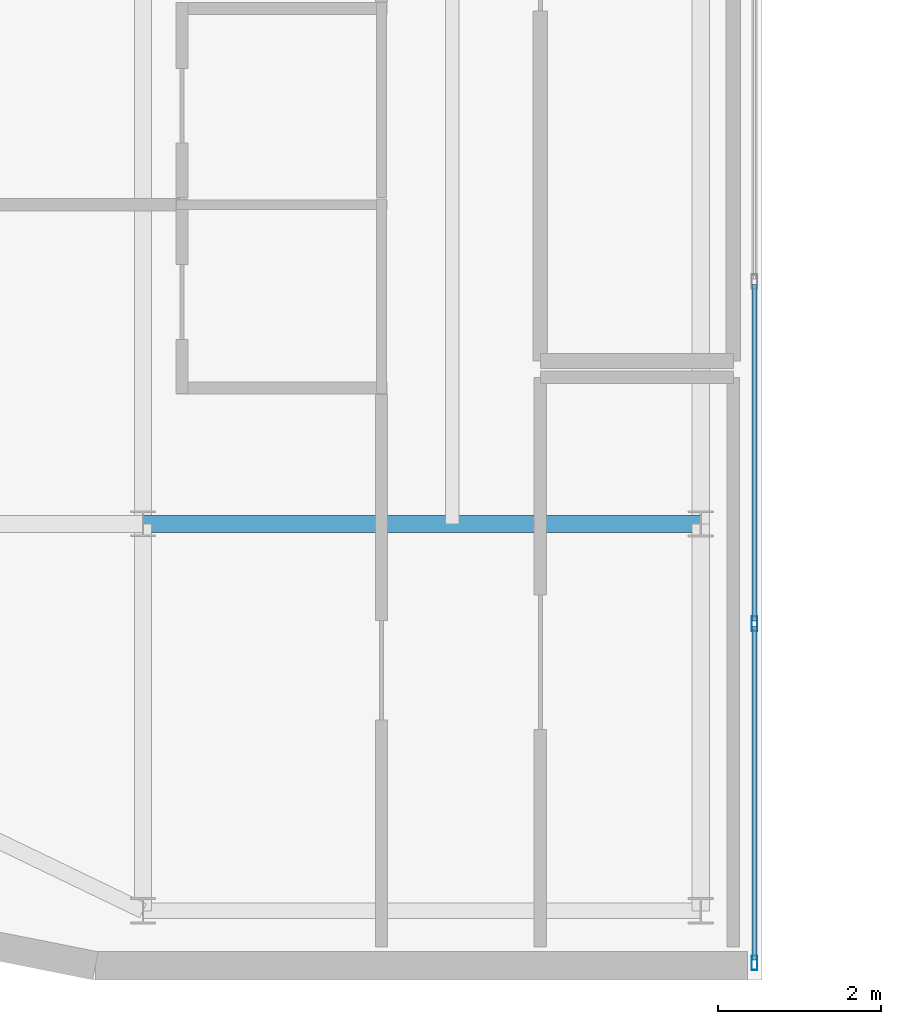
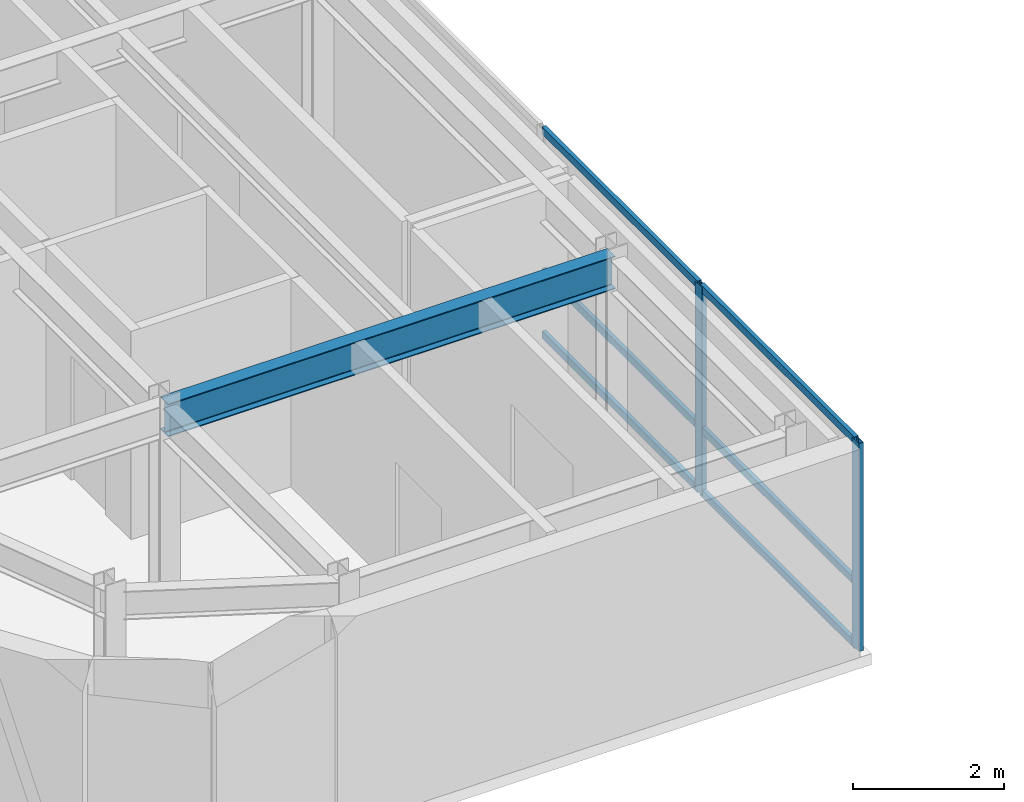
# One storey, part 4 of 18: 8 members, 1 beam, 1 element without a shape of its own.
"""IFC4 building model written with IfcOpenShell, lengths in metres."""

from ifc_helpers import new_model, si_unit, direction, frame, origin, origin_2d, place, context, subcontext, project, spatial, hollow_rectangle, i_section, extrude, source, transform, mapped, material, layer, layer_set, material_profile, profile_set, type_object, type_shapes, element, aggregate, save


model = new_model("IFC4")

# Units and contexts
model_context = context("Model", 3, precision=1e-05, world=origin(), true_north=direction((0.0, 1.0)))
body_context = subcontext(model_context, "Body", "Model", "MODEL_VIEW")
ifc_project = project(units=[si_unit("LENGTHUNIT", "METRE"), si_unit("AREAUNIT", "SQUARE_METRE"), si_unit("VOLUMEUNIT", "CUBIC_METRE"), si_unit("PLANEANGLEUNIT", "RADIAN"), si_unit("MASSUNIT", "GRAM", prefix="KILO")], contexts=[model_context])

# Site, building, storey
site_placement = place(None, origin())
site = spatial("IfcSite", under=ifc_project, at=site_placement, CompositionType="ELEMENT")
building_placement = place(site_placement, origin())
building = spatial("IfcBuilding", under=site, at=building_placement, Name="Tolvann Quenvar Hotel", CompositionType="ELEMENT")
storey_placement = place(building_placement, frame((0.0, 0.0, 252.300048828125)))
storey = spatial("IfcBuildingStorey", under=building, at=storey_placement, Name="L67", CompositionType="ELEMENT", Elevation=252.300048828125)

# Beam
ifc_material_1 = material(Name="Steel Grade 350", Category="steel")
ifc_material_profile_1 = material_profile(ifc_material_1, i_section(OverallWidth=0.208984375, OverallDepth=0.532958984375, WebThickness=0.01025390625, FlangeThickness=0.015625, FilletRadius=0.013916015625, at=origin_2d()), Name="530UB92")
ifc_profile_set_1 = profile_set([ifc_material_profile_1], Name="Steel Grade 350")
beam_type = type_object("IfcBeamType", Name="BM_GIRD_530UB92", PredefinedType="BEAM", material=ifc_profile_set_1)
shared_shape_1 = source(origin(), body_context, "Body", "SweptSolid", [
    extrude(i_section(OverallWidth=0.208984375, OverallDepth=0.532958984375, WebThickness=0.01025390625, FlangeThickness=0.015625, FilletRadius=0.013916015625, at=origin_2d()), origin(), (0.0, 0.0, 1.0), 6.849853515625),
])
type_shapes(beam_type, [shared_shape_1])
beam_placement = place(storey_placement, frame((7.60009765625, 8.199951171875, 3.103515625), z_axis=(1.0, 0.0, 0.0), x_axis=(0.0, 1.0, 0.0)))
element("IfcBeam", 1, at=beam_placement, inside=storey, type_object=beam_type, Name="BM-L67-EW-3-C3-D3", PredefinedType="BEAM", context=body_context, shape_type="MappedRepresentation", body=[
    mapped(shared_shape_1, transform((0.0, 0.0, 0.0), x_axis=(1.0, 0.0, 0.0), y_axis=(0.0, 1.0, 0.0), z_axis=(0.0, 0.0, 1.0), scale=1.0)),
])

# Curtain wall, members
ifc_material_2 = material(Name="Thermally broken anodised architectural aluminium 6063-T6 and laminated low-E glass", Category="aluminium")
ifc_layer = layer(ifc_material_2, 0.179931640625)
ifc_layer_set = layer_set([ifc_layer], Name="Thermally broken anodised architectural aluminium 6063-T6 and laminated low-E glass")
curtain_wall_type = type_object("IfcCurtainWallType", Name="CW_SYS_PORTAL_05", PredefinedType="USERDEFINED", material=ifc_layer_set)
curtain_wall_placement = place(storey_placement, origin())
curtain_wall = element("IfcCurtainWall", 2, at=curtain_wall_placement, inside=storey, type_object=curtain_wall_type, Name="Curtain Wall CW-PORTAL-05 (CWR-L67-E05)", ObjectType="UNITISED CURTAIN WALL", PredefinedType="USERDEFINED")
ifc_material_3 = material(Name="Anodised architectural aluminium 6063-T6 framing", Category="aluminium")
ifc_material_profile_2 = material_profile(ifc_material_3, hollow_rectangle(XDim=0.070068359375, YDim=0.179931640625, WallThickness=0.00390625, at=origin_2d()), Name="180x70x4RHS")
ifc_profile_set_2 = profile_set([ifc_material_profile_2], Name="Anodised architectural aluminium 6063-T6 framing")
member_type_1 = type_object("IfcMemberType", Name="CW_MULL_180x70", PredefinedType="MULLION", material=ifc_profile_set_2)
shared_shape_2 = source(origin(), body_context, "Body", "SweptSolid", [
    extrude(hollow_rectangle(XDim=0.070068359375, YDim=0.179931640625, WallThickness=0.00390625, at=origin_2d()), origin(), (0.0, 0.0, 1.0), 3.369873046875),
])
type_shapes(member_type_1, [shared_shape_2])
member_1_placement = place(storey_placement, frame((15.110107421875, 2.81005859375, 0.0), z_axis=(0.0, 0.0, 1.0), x_axis=(-1.0, 0.0, 0.0)))
member_1 = element("IfcMember", 3, at=member_1_placement, type_object=member_type_1, Name="CW-PORTAL-05 mullion 1", PredefinedType="MULLION", context=body_context, shape_type="MappedRepresentation", body=[
    mapped(shared_shape_2, transform((0.0, 0.0, 0.0), x_axis=(1.0, 0.0, 0.0), y_axis=(0.0, 1.0, 0.0), z_axis=(0.0, 0.0, 1.0), scale=1.0)),
])
member_2_placement = place(storey_placement, frame((15.110107421875, 6.97509765625, 0.0), z_axis=(0.0, 0.0, 1.0), x_axis=(-1.0, 0.0, 0.0)))
member_2 = element("IfcMember", 4, at=member_2_placement, type_object=member_type_1, Name="CW-PORTAL-05 mullion 2", PredefinedType="MULLION", context=body_context, shape_type="MappedRepresentation", body=[
    mapped(shared_shape_2, transform((0.0, 0.0, 0.0), x_axis=(1.0, 0.0, 0.0), y_axis=(0.0, 1.0, 0.0), z_axis=(0.0, 0.0, 1.0), scale=1.0)),
])
ifc_material_profile_3 = material_profile(ifc_material_3, hollow_rectangle(XDim=0.06005859375, YDim=0.1201171875, WallThickness=0.00341796875, at=origin_2d()), Name="120x60x3.5RHS")
ifc_profile_set_3 = profile_set([ifc_material_profile_3], Name="Anodised architectural aluminium 6063-T6 framing")
member_type_2 = type_object("IfcMemberType", Name="CW_TRAN_120x60", PredefinedType="USERDEFINED", material=ifc_profile_set_3)
shared_shape_3 = source(origin(), body_context, "Body", "SweptSolid", [
    extrude(hollow_rectangle(XDim=0.06005859375, YDim=0.1201171875, WallThickness=0.00341796875, at=origin_2d()), origin(), (0.0, 0.0, 1.0), 4.094970703125),
])
member_3_placement = place(storey_placement, frame((15.110107421875, 2.844970703125, 0.030029296875), z_axis=(0.0, 1.0, 0.0), x_axis=(-1.0, 0.0, 0.0)))
member_3 = element("IfcMember", 5, at=member_3_placement, type_object=member_type_2, Name="CW-PORTAL-05 transom 1.1", ObjectType="TRANSOM", PredefinedType="USERDEFINED", context=body_context, shape_type="MappedRepresentation", body=[
    mapped(shared_shape_3, transform((0.0, 0.0, 0.0), x_axis=(1.0, 0.0, 0.0), y_axis=(0.0, 1.0, 0.0), z_axis=(0.0, 0.0, 1.0), scale=1.0)),
])
member_4_placement = place(storey_placement, frame((15.110107421875, 2.844970703125, 1.050048828125), z_axis=(0.0, 1.0, 0.0), x_axis=(-1.0, 0.0, 0.0)))
member_4 = element("IfcMember", 6, at=member_4_placement, type_object=member_type_2, Name="CW-PORTAL-05 transom 1.2", ObjectType="TRANSOM", PredefinedType="USERDEFINED", context=body_context, shape_type="MappedRepresentation", body=[
    mapped(shared_shape_3, transform((0.0, 0.0, 0.0), x_axis=(1.0, 0.0, 0.0), y_axis=(0.0, 1.0, 0.0), z_axis=(0.0, 0.0, 1.0), scale=1.0)),
])
member_5_placement = place(storey_placement, frame((15.110107421875, 2.844970703125, 3.33984375), z_axis=(0.0, 1.0, 0.0), x_axis=(-1.0, 0.0, 0.0)))
member_5 = element("IfcMember", 7, at=member_5_placement, type_object=member_type_2, Name="CW-PORTAL-05 transom 1.3", ObjectType="TRANSOM", PredefinedType="USERDEFINED", context=body_context, shape_type="MappedRepresentation", body=[
    mapped(shared_shape_3, transform((0.0, 0.0, 0.0), x_axis=(1.0, 0.0, 0.0), y_axis=(0.0, 1.0, 0.0), z_axis=(0.0, 0.0, 1.0), scale=1.0)),
])
shared_shape_4 = source(origin(), body_context, "Body", "SweptSolid", [
    extrude(hollow_rectangle(XDim=0.06005859375, YDim=0.1201171875, WallThickness=0.00341796875, at=origin_2d()), origin(), (0.0, 0.0, 1.0), 4.1298828125),
])
type_shapes(member_type_2, [shared_shape_3, shared_shape_4])
member_6_placement = place(storey_placement, frame((15.110107421875, 7.010009765625, 0.030029296875), z_axis=(0.0, 1.0, 0.0), x_axis=(-1.0, 0.0, 0.0)))
member_6 = element("IfcMember", 8, at=member_6_placement, type_object=member_type_2, Name="CW-PORTAL-05 transom 2.1", ObjectType="TRANSOM", PredefinedType="USERDEFINED", context=body_context, shape_type="MappedRepresentation", body=[
    mapped(shared_shape_4, transform((0.0, 0.0, 0.0), x_axis=(1.0, 0.0, 0.0), y_axis=(0.0, 1.0, 0.0), z_axis=(0.0, 0.0, 1.0), scale=1.0)),
])
member_7_placement = place(storey_placement, frame((15.110107421875, 7.010009765625, 1.050048828125), z_axis=(0.0, 1.0, 0.0), x_axis=(-1.0, 0.0, 0.0)))
member_7 = element("IfcMember", 9, at=member_7_placement, type_object=member_type_2, Name="CW-PORTAL-05 transom 2.2", ObjectType="TRANSOM", PredefinedType="USERDEFINED", context=body_context, shape_type="MappedRepresentation", body=[
    mapped(shared_shape_4, transform((0.0, 0.0, 0.0), x_axis=(1.0, 0.0, 0.0), y_axis=(0.0, 1.0, 0.0), z_axis=(0.0, 0.0, 1.0), scale=1.0)),
])
member_8_placement = place(storey_placement, frame((15.110107421875, 7.010009765625, 3.33984375), z_axis=(0.0, 1.0, 0.0), x_axis=(-1.0, 0.0, 0.0)))
member_8 = element("IfcMember", 10, at=member_8_placement, type_object=member_type_2, Name="CW-PORTAL-05 transom 2.3", ObjectType="TRANSOM", PredefinedType="USERDEFINED", context=body_context, shape_type="MappedRepresentation", body=[
    mapped(shared_shape_4, transform((0.0, 0.0, 0.0), x_axis=(1.0, 0.0, 0.0), y_axis=(0.0, 1.0, 0.0), z_axis=(0.0, 0.0, 1.0), scale=1.0)),
])
aggregate(curtain_wall, [member_1, member_2, member_3, member_4, member_5, member_6, member_7, member_8])

save(model, "model.ifc")
